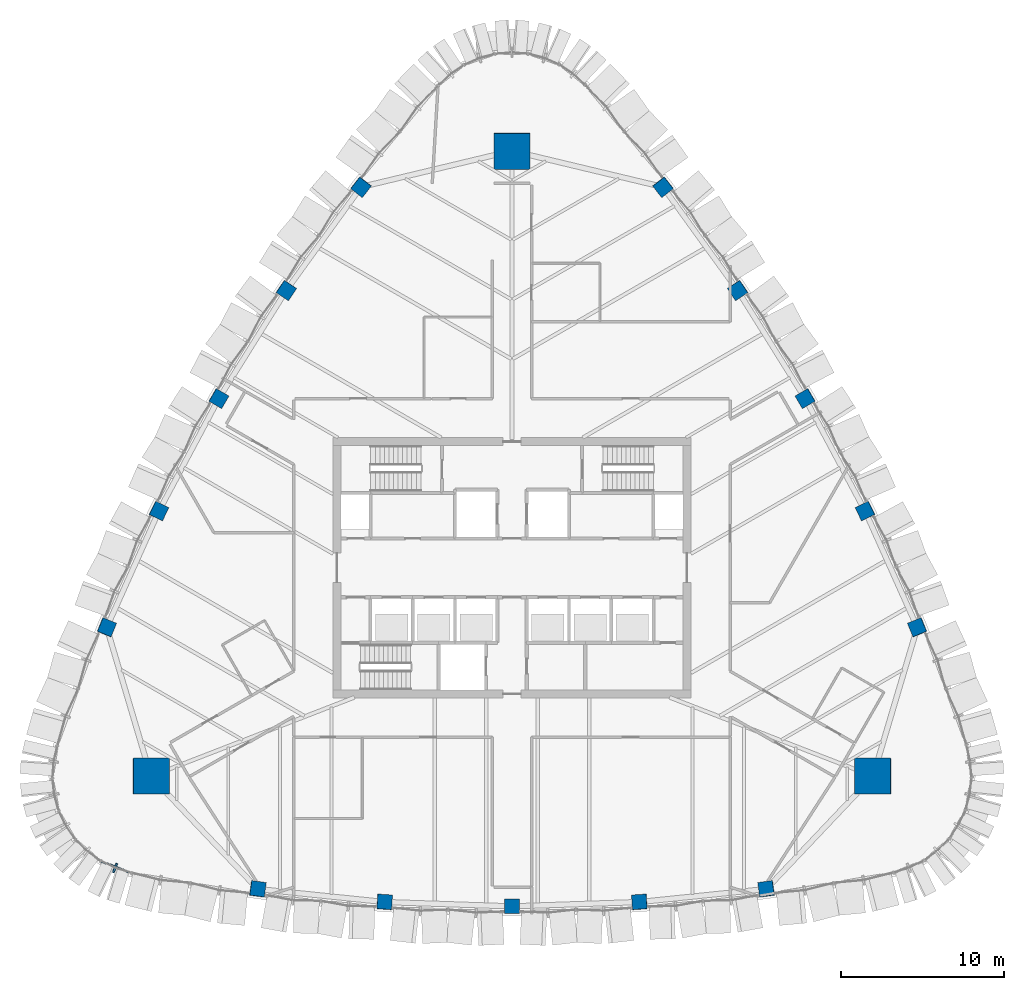
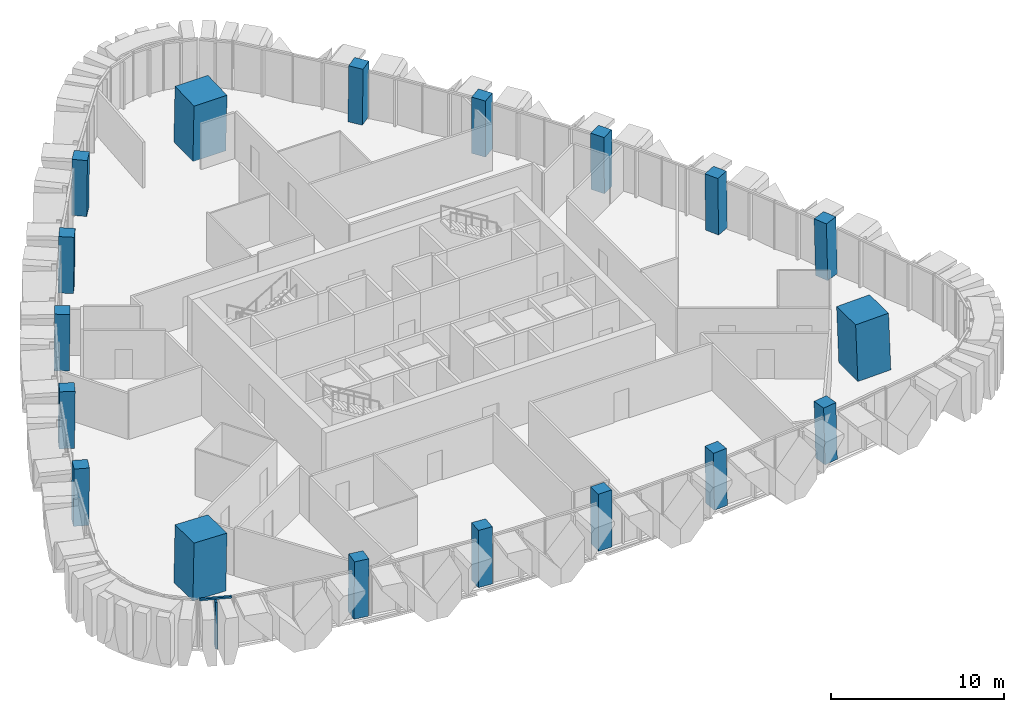
# One storey, part 1 of 19: 18 columns, 2 members, 1 element without a shape of its own.
"""IFC4 building model written with IfcOpenShell, lengths in metres."""

from ifc_helpers import new_model, si_unit, direction, frame, origin, origin_2d, place, context, subcontext, project, spatial, rectangle, extrude, material, layer, layer_set, material_profile, profile_set, type_object, element, aggregate, save


model = new_model("IFC4")

# Units and contexts
model_context = context("Model", 3, precision=1e-05, world=origin(), true_north=direction((0.0, 1.0)))
body_context = subcontext(model_context, "Body", "Model", "MODEL_VIEW")
ifc_project = project(units=[si_unit("LENGTHUNIT", "METRE"), si_unit("AREAUNIT", "SQUARE_METRE"), si_unit("VOLUMEUNIT", "CUBIC_METRE"), si_unit("PLANEANGLEUNIT", "RADIAN"), si_unit("MASSUNIT", "GRAM", prefix="KILO")], contexts=[model_context])

# Site, building, storey
site_placement = place(None, origin())
site = spatial("IfcSite", under=ifc_project, at=site_placement, CompositionType="ELEMENT")
building_placement = place(site_placement, origin())
building = spatial("IfcBuilding", under=site, at=building_placement, Name="Sierra Prisma Convention Tower", CompositionType="ELEMENT")
storey_placement = place(building_placement, frame((0.0, 0.0, 235.0)))
storey = spatial("IfcBuildingStorey", under=building, at=storey_placement, Name="L52", CompositionType="ELEMENT", Elevation=235.0)

# Columns
ifc_material_1 = material(Name="Concrete C50/60", Category="concrete")
ifc_material_profile_1 = material_profile(ifc_material_1, rectangle(XDim=2.199951171875, YDim=2.199951171875, at=origin_2d()), Name="Mega column RC 2200 C50/60")
ifc_profile_set_1 = profile_set([ifc_material_profile_1], Name="Concrete C50/60")
column_type_1 = type_object("IfcColumnType", Name="Mega column RC 2200 C50/60", PredefinedType="COLUMN", material=ifc_profile_set_1)
for number, where, z_axis, x_axis, name in (
    (1, (22.180908203125, -12.80615234375, 0.0), (-0.027939561831, 0.016104900269, 0.999479871269), (0.999609614242, 0.000450139585, 0.027935935454), "Mega column SE L52"),
    (2, (0.0, 25.6123046875, 0.0), (0.0, -0.032209841054, 0.999481128456), (1.0, 0.0, 0.0), "Mega column N L52"),
    (3, (-22.180908203125, -12.80615234375, 0.0), (0.027939561831, 0.016104900269, 0.999479871269), (0.999609614242, -0.000450139585, -0.027935935454), "Mega column SW L52"),
):
    element("IfcColumn", number, at=place(storey_placement, frame(where, z_axis=z_axis, x_axis=x_axis)), inside=storey, type_object=column_type_1, Name=name, PredefinedType="COLUMN", context=body_context, shape_type="SweptSolid", body=[
        extrude(rectangle(XDim=2.199951171875, YDim=2.199951171875, at=origin_2d()), origin(), (0.0, 0.0, 1.0), 4.002197265625),
    ])
ifc_material_2 = material(Name="Concrete C50/60", Category="concrete")
ifc_material_profile_2 = material_profile(ifc_material_2, rectangle(XDim=0.89990234375, YDim=0.89990234375, at=origin_2d()), Name="Perimeter column RC 900 C50/60")
ifc_profile_set_2 = profile_set([ifc_material_profile_2], Name="Concrete C50/60")
column_type_2 = type_object("IfcColumnType", Name="Perimeter column RC 900 C50/60", PredefinedType="COLUMN", material=ifc_profile_set_2)
column_1_placement = place(storey_placement, frame((-15.62158203125, -19.730224609375, 0.0), z_axis=(0.017513460473, 0.010373826761, 0.999792809746), x_axis=(-0.990562226516, 0.136133815888, 0.015939246235)))
element("IfcColumn", 4, at=column_1_placement, inside=storey, type_object=column_type_2, Name="Perimeter column S-1 L52", PredefinedType="COLUMN", context=body_context, shape_type="SweptSolid", body=[
    extrude(rectangle(XDim=0.89990234375, YDim=0.89990234375, at=origin_2d()), origin(), (0.0, 0.0, 1.0), 4.000732421875),
])
column_2_placement = place(storey_placement, frame((-7.8291015625, -20.530029296875, 0.0), z_axis=(0.008788174922, 0.01116830563, 0.999899013366), x_axis=(-0.997637315828, 0.06823259627, 0.008006177268)))
element("IfcColumn", 5, at=column_2_placement, inside=storey, type_object=column_type_2, Name="Perimeter column S-2 L52", PredefinedType="COLUMN", context=body_context, shape_type="SweptSolid", body=[
    extrude(rectangle(XDim=0.89990234375, YDim=0.89990234375, at=origin_2d()), origin(), (0.0, 0.0, 1.0), 4.00048828125),
])
column_3_placement = place(storey_placement, frame((0.0, -20.797119140625, 0.0), z_axis=(0.0, 0.01141283087, 0.999934871525), x_axis=(1.0, 0.0, 0.0)))
element("IfcColumn", 6, at=column_3_placement, inside=storey, type_object=column_type_2, Name="Perimeter column S-3 L52", PredefinedType="COLUMN", context=body_context, shape_type="SweptSolid", body=[
    extrude(rectangle(XDim=0.89990234375, YDim=0.89990234375, at=origin_2d()), origin(), (0.0, 0.0, 1.0), 4.000244140625),
])
column_4_placement = place(storey_placement, frame((7.8291015625, -20.530029296875, 0.0), z_axis=(-0.008788174922, 0.01116830563, 0.999899013366), x_axis=(0.997637315828, 0.06823259627, 0.008006177268)))
element("IfcColumn", 7, at=column_4_placement, inside=storey, type_object=column_type_2, Name="Perimeter column S-4 L52", PredefinedType="COLUMN", context=body_context, shape_type="SweptSolid", body=[
    extrude(rectangle(XDim=0.89990234375, YDim=0.89990234375, at=origin_2d()), origin(), (0.0, 0.0, 1.0), 4.00048828125),
])
for number, where, z_axis, x_axis, name in (
    (8, (15.62158203125, -19.730224609375, 0.0), (-0.017513460473, 0.010373826761, 0.999792809746), (0.990562226516, 0.136133815888, 0.015939246235), "Perimeter column S-5 L52"),
    (9, (24.897705078125, -3.66357421875, 0.0), (-0.017818554314, 0.009946658744, 0.999791759869), (-0.377551359736, 0.925851441323, -0.015939867064), "Perimeter column NE-1 L52"),
):
    element("IfcColumn", number, at=place(storey_placement, frame(where, z_axis=z_axis, x_axis=x_axis)), inside=storey, type_object=column_type_2, Name=name, PredefinedType="COLUMN", context=body_context, shape_type="SweptSolid", body=[
        extrude(rectangle(XDim=0.89990234375, YDim=0.89990234375, at=origin_2d()), origin(), (0.0, 0.0, 1.0), 4.000732421875),
    ])
column_5_placement = place(storey_placement, frame((21.694091796875, 3.48486328125, 0.0), z_axis=(-0.014097691364, 0.002013955909, 0.999898594398), x_axis=(-0.439784175412, 0.89806777484, -0.008009422674)))
element("IfcColumn", 10, at=column_5_placement, inside=storey, type_object=column_type_2, Name="Perimeter column NE-2 L52", PredefinedType="COLUMN", context=body_context, shape_type="SweptSolid", body=[
    extrude(rectangle(XDim=0.89990234375, YDim=0.89990234375, at=origin_2d()), origin(), (0.0, 0.0, 1.0), 4.00048828125),
])
column_6_placement = place(storey_placement, frame((18.010986328125, 10.398681640625, 0.0), z_axis=(-0.009948074445, -0.005736926367, 0.999934059571), x_axis=(-0.499975258342, 0.8660396879, -5.385525e-06)))
element("IfcColumn", 11, at=column_6_placement, inside=storey, type_object=column_type_2, Name="Perimeter column NE-3 L52", PredefinedType="COLUMN", context=body_context, shape_type="SweptSolid", body=[
    extrude(rectangle(XDim=0.89990234375, YDim=0.89990234375, at=origin_2d()), origin(), (0.0, 0.0, 1.0), 4.000244140625),
])
column_7_placement = place(storey_placement, frame((13.864990234375, 17.045166015625, 0.0), z_axis=(-0.005248495047, -0.01318226663, 0.999899335506), x_axis=(-0.557840274984, 0.829909644622, 0.008013074926)))
element("IfcColumn", 12, at=column_7_placement, inside=storey, type_object=column_type_2, Name="Perimeter column NE-4 L52", PredefinedType="COLUMN", context=body_context, shape_type="SweptSolid", body=[
    extrude(rectangle(XDim=0.89990234375, YDim=0.89990234375, at=origin_2d()), origin(), (0.0, 0.0, 1.0), 4.00048828125),
])
for number, where, z_axis, x_axis, name in (
    (13, (9.27587890625, 23.393798828125, 0.0), (-0.00018306743, -0.020381507228, 0.999792258747), (-0.613102854007, 0.789841271823, 0.015989238051), "Perimeter column NE-5 L52"),
    (14, (-9.27587890625, 23.393798828125, 0.0), (0.00018306743, -0.020381507228, 0.999792258747), (0.613102854007, 0.789841271823, 0.015989238051), "Perimeter column NW-1 L52"),
):
    element("IfcColumn", number, at=place(storey_placement, frame(where, z_axis=z_axis, x_axis=x_axis)), inside=storey, type_object=column_type_2, Name=name, PredefinedType="COLUMN", context=body_context, shape_type="SweptSolid", body=[
        extrude(rectangle(XDim=0.89990234375, YDim=0.89990234375, at=origin_2d()), origin(), (0.0, 0.0, 1.0), 4.000732421875),
    ])
column_8_placement = place(storey_placement, frame((-13.864990234375, 17.045166015625, 0.0), z_axis=(0.005248495047, -0.01318226663, 0.999899335506), x_axis=(0.557840274984, 0.829909644622, 0.008013074926)))
element("IfcColumn", 15, at=column_8_placement, inside=storey, type_object=column_type_2, Name="Perimeter column NW-2 L52", PredefinedType="COLUMN", context=body_context, shape_type="SweptSolid", body=[
    extrude(rectangle(XDim=0.89990234375, YDim=0.89990234375, at=origin_2d()), origin(), (0.0, 0.0, 1.0), 4.00048828125),
])
column_9_placement = place(storey_placement, frame((-18.010986328125, 10.398681640625, 0.0), z_axis=(0.009948074445, -0.005736926367, 0.999934059571), x_axis=(0.499975258342, 0.8660396879, -5.385525e-06)))
element("IfcColumn", 16, at=column_9_placement, inside=storey, type_object=column_type_2, Name="Perimeter column NW-3 L52", PredefinedType="COLUMN", context=body_context, shape_type="SweptSolid", body=[
    extrude(rectangle(XDim=0.89990234375, YDim=0.89990234375, at=origin_2d()), origin(), (0.0, 0.0, 1.0), 4.000244140625),
])
column_10_placement = place(storey_placement, frame((-21.694091796875, 3.48486328125, 0.0), z_axis=(0.014097691364, 0.002013955909, 0.999898594398), x_axis=(0.439784175412, 0.89806777484, -0.008009422674)))
element("IfcColumn", 17, at=column_10_placement, inside=storey, type_object=column_type_2, Name="Perimeter column NW-4 L52", PredefinedType="COLUMN", context=body_context, shape_type="SweptSolid", body=[
    extrude(rectangle(XDim=0.89990234375, YDim=0.89990234375, at=origin_2d()), origin(), (0.0, 0.0, 1.0), 4.00048828125),
])
column_11_placement = place(storey_placement, frame((-24.897705078125, -3.66357421875, 0.0), z_axis=(0.017818554314, 0.009946658744, 0.999791759869), x_axis=(0.377551359736, 0.925851441323, -0.015939867064)))
element("IfcColumn", 18, at=column_11_placement, inside=storey, type_object=column_type_2, Name="Perimeter column NW-5 L52", PredefinedType="COLUMN", context=body_context, shape_type="SweptSolid", body=[
    extrude(rectangle(XDim=0.89990234375, YDim=0.89990234375, at=origin_2d()), origin(), (0.0, 0.0, 1.0), 4.000732421875),
])

# Curtain wall, members
ifc_material_3 = material(Name="Aluminium and glass curtain wall", Category="aluminium")
ifc_layer = layer(ifc_material_3, 0.179931640625)
ifc_layer_set = layer_set([ifc_layer], Name="CW-2 Faceted crystal curtain wall")
curtain_wall_type = type_object("IfcCurtainWallType", Name="CW-2 Faceted crystal curtain wall", PredefinedType="NOTDEFINED", material=ifc_layer_set)
curtain_wall_placement = place(storey_placement, origin())
curtain_wall = element("IfcCurtainWall", 19, at=curtain_wall_placement, inside=storey, type_object=curtain_wall_type, Name="CW-2 SW5 L52", PredefinedType="NOTDEFINED")
ifc_material_4 = material(Name="Aluminium 6063-T6 bronze anodised", Category="aluminium")
ifc_material_profile_3 = material_profile(ifc_material_4, rectangle(XDim=0.1201171875, YDim=0.60009765625, at=origin_2d()), Name="ALU RIDGE BLADE 120x600")
ifc_profile_set_3 = profile_set([ifc_material_profile_3], Name="Aluminium 6063-T6 bronze anodised")
member_type_1 = type_object("IfcMemberType", Name="CW hip bronze", PredefinedType="MULLION", material=ifc_profile_set_3)
member_1_placement = place(storey_placement, frame((-24.38720703125, -18.442626953125, 0.0), z_axis=(0.0, 0.0, 1.0), x_axis=(0.931201861345, -0.364503900429, 0.0)))
member_1 = element("IfcMember", 20, at=member_1_placement, type_object=member_type_1, Name="CW-2 ridge SW5.1", PredefinedType="MULLION", context=body_context, shape_type="SweptSolid", body=[
    extrude(rectangle(XDim=0.1201171875, YDim=0.60009765625, at=origin_2d()), origin(), (0.0, 0.0, 1.0), 3.280029296875),
])
ifc_material_5 = material(Name="Aluminium 6063-T6 bronze anodised", Category="aluminium")
ifc_material_profile_4 = material_profile(ifc_material_5, rectangle(XDim=0.139892578125, YDim=0.1201171875, at=origin_2d()), Name="ALU TRANSOM 120x140")
ifc_profile_set_4 = profile_set([ifc_material_profile_4], Name="Aluminium 6063-T6 bronze anodised")
member_type_2 = type_object("IfcMemberType", Name="CW transom bronze", PredefinedType="USERDEFINED", material=ifc_profile_set_4)
member_2_placement = place(storey_placement, frame((-25.241943359375, -18.02783203125, 3.340087890625), z_axis=(0.931162893576, -0.364603436115, 0.0), x_axis=(0.364603436115, 0.931162893576, 0.0)))
member_2 = element("IfcMember", 21, at=member_2_placement, type_object=member_type_2, Name="CW-1 transom SW5.1", ObjectType="TRANSOM", PredefinedType="USERDEFINED", context=body_context, shape_type="SweptSolid", body=[
    extrude(rectangle(XDim=0.139892578125, YDim=0.1201171875, at=origin_2d()), origin(), (0.0, 0.0, 1.0), 1.894287109375),
])
aggregate(curtain_wall, [member_2, member_1])

save(model, "model.ifc")
